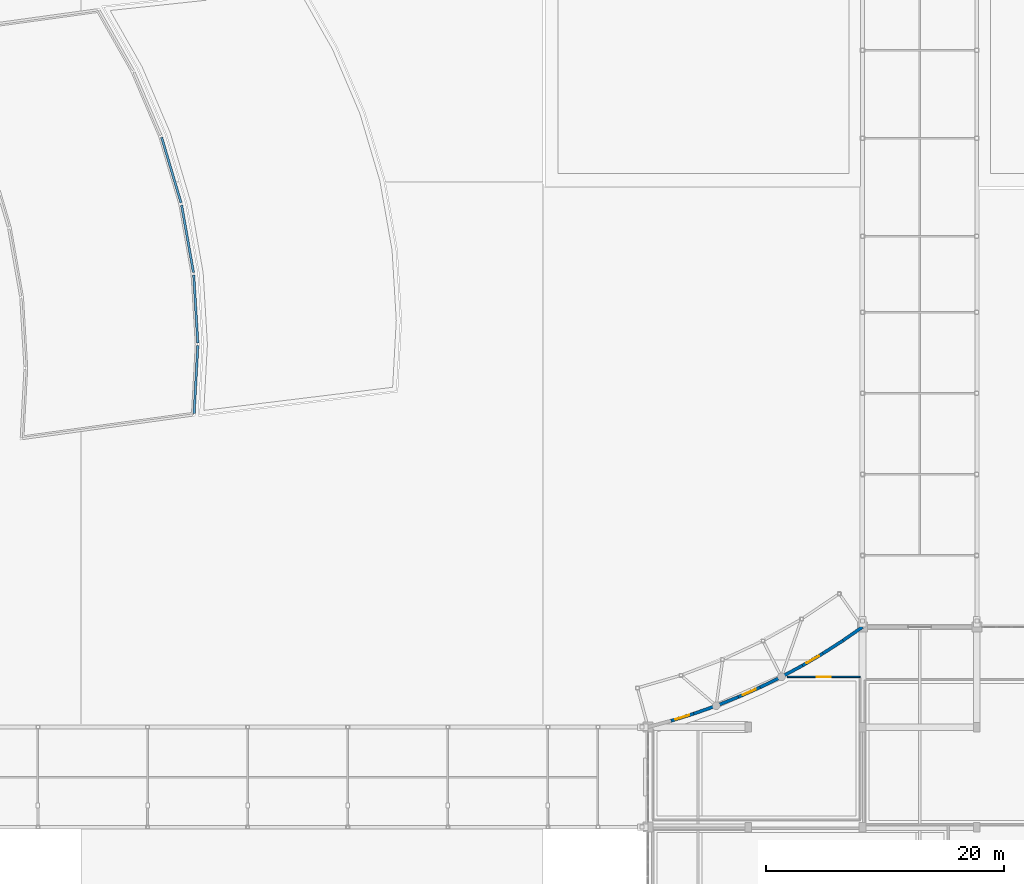
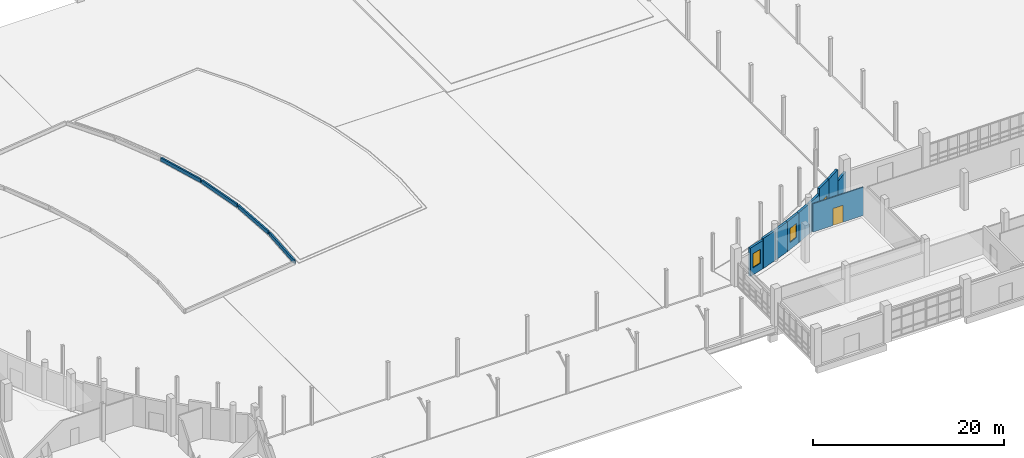
# One storey, part 64 of 97: 14 walls, 3 windows, 1 door, 4 openings.
"""IFC4 building model written with IfcOpenShell, lengths in metres."""

from ifc_helpers import new_model, si_unit, direction, frame, frame_2d, origin, place, context, subcontext, project, spatial, rectangle, extrude, material, layer, layer_set, type_object, element, fill, save


model = new_model("IFC4")

# Units and contexts
model_context = context("Model", 3, precision=1e-05, world=origin(), true_north=direction((0.0, 1.0)))
body_context = subcontext(model_context, "Body", "Model", "MODEL_VIEW")
ifc_project = project(units=[si_unit("LENGTHUNIT", "METRE"), si_unit("AREAUNIT", "SQUARE_METRE"), si_unit("VOLUMEUNIT", "CUBIC_METRE"), si_unit("PLANEANGLEUNIT", "RADIAN"), si_unit("MASSUNIT", "GRAM", prefix="KILO")], contexts=[model_context])

# Site, building, storey
site_placement = place(None, origin())
site = spatial("IfcSite", under=ifc_project, at=site_placement, CompositionType="ELEMENT")
building_placement = place(site_placement, origin())
building = spatial("IfcBuilding", under=site, at=building_placement, Name="Kisaragi Civic Commons", CompositionType="ELEMENT")
storey_placement = place(building_placement, origin())
storey = spatial("IfcBuildingStorey", under=building, at=storey_placement, Name="L00", CompositionType="ELEMENT", Elevation=0.0)

# Wall, opening, window
ifc_material_1 = material(Name="Insulated Tokoname terracotta cavity wall", Category="masonry")
ifc_layer_1 = layer(ifc_material_1, 0.26806640625, Name="Insulated Tokoname terracotta cavity wall", Category="masonry")
ifc_layer_set_1 = layer_set([ifc_layer_1], Name="Insulated Tokoname terracotta cavity wall")
wall_type_1 = type_object("IfcWallType", Name="EW-04", PredefinedType="STANDARD", material=ifc_layer_set_1)
wall_1_placement = place(storey_placement, frame((107.529296875, 17.32080078125, 0.0), z_axis=(0.0, 0.0, 1.0), x_axis=(0.954705742249, 0.297551584969, 0.0)))
wall_1 = element("IfcWall", 1, at=wall_1_placement, inside=storey, type_object=wall_type_1, Name="V3 L00 exterior terracotta wall EW-04 240", PredefinedType="STANDARD", context=body_context, shape_type="SweptSolid", body=[
    extrude(rectangle(XDim=1.998779296875, YDim=0.26806640625, at=frame_2d((0.99951171875, 0.0))), origin(), (0.0, 0.0, 1.0), 3.6201171875),
])
opening_1_placement = place(wall_1_placement, frame((0.3994140625, 0.0, 0.89990234375)))
opening_1 = element("IfcOpeningElement", 2, at=opening_1_placement, cuts=wall_1, Name="Opening W-05", PredefinedType="OPENING", context=body_context, shape_type="SweptSolid", body=[
    extrude(rectangle(XDim=1.199951171875, YDim=1.800048828125, at=frame_2d((0.60009765625, 0.89990234375))), frame((0.0, 0.14404296875, 0.0), z_axis=(0.0, -1.0, 0.0), x_axis=(1.0, 0.0, 0.0)), (0.0, 0.0, 1.0), 0.2880859375),
])
ifc_material_2 = material(Name="Thermally broken aluminium frame and low-E argon double glazing", Category="aluminium")
window_type = type_object("IfcWindowType", Name="W-05", PartitioningType="SINGLE_PANEL", PredefinedType="WINDOW", material=ifc_material_2)
window_1_placement = place(opening_1_placement, origin())
window_1 = element("IfcWindow", 3, at=window_1_placement, inside=storey, type_object=window_type, Name="V3 L00 window W-05 71", OverallHeight=1.800048828125, OverallWidth=1.199951171875, PartitioningType="SINGLE_PANEL", PredefinedType="WINDOW", context=body_context, shape_type="SweptSolid", body=[
    extrude(rectangle(XDim=1.199951171875, YDim=1.800048828125, at=frame_2d((0.60009765625, 0.89990234375))), frame((0.0, 0.030029296875, 0.0), z_axis=(0.0, -1.0, 0.0), x_axis=(1.0, 0.0, 0.0)), (0.0, 0.0, 1.0), 0.06005859375),
])
fill(opening_1, window_1)

# Walls
for number, where, z_axis, x_axis, name in (
    (4, (109.4375, 17.91552734375, 0.0), (0.0, 0.0, 1.0), (0.942579162091, 0.333982818709, 0.0), "V3 L00 exterior terracotta wall EW-04 241"),
    (5, (111.3212890625, 18.5830078125, 0.0), (0.0, 0.0, 1.0), (0.929023293301, 0.370021243315, 0.0), "V3 L00 exterior terracotta wall EW-04 242"),
):
    element("IfcWall", number, at=place(storey_placement, frame(where, z_axis=z_axis, x_axis=x_axis)), inside=storey, type_object=wall_type_1, Name=name, PredefinedType="STANDARD", context=body_context, shape_type="SweptSolid", body=[
        extrude(rectangle(XDim=1.99853515625, YDim=0.26806640625, at=frame_2d((0.999267578125, 0.0))), origin(), (0.0, 0.0, 1.0), 3.820068359375),
    ])

# Wall, opening, window
wall_2_placement = place(storey_placement, frame((113.177978515625, 19.322509765625, 0.0), z_axis=(0.0, 0.0, 1.0), x_axis=(0.914163846606, 0.405344867438, 0.0)))
wall_2 = element("IfcWall", 6, at=wall_2_placement, inside=storey, type_object=wall_type_1, Name="V3 L00 exterior terracotta wall EW-04 243", PredefinedType="STANDARD", context=body_context, shape_type="SweptSolid", body=[
    extrude(rectangle(XDim=1.99853515625, YDim=0.26806640625, at=frame_2d((0.999267578125, 0.0))), origin(), (0.0, 0.0, 1.0), 3.820068359375),
])
opening_2_placement = place(wall_2_placement, frame((0.399169921875, 0.0, 0.89990234375)))
opening_2 = element("IfcOpeningElement", 7, at=opening_2_placement, cuts=wall_2, Name="Opening W-05", PredefinedType="OPENING", context=body_context, shape_type="SweptSolid", body=[
    extrude(rectangle(XDim=1.199951171875, YDim=1.800048828125, at=frame_2d((0.60009765625, 0.89990234375))), frame((0.0, 0.14404296875, 0.0), z_axis=(0.0, -1.0, 0.0), x_axis=(1.0, 0.0, 0.0)), (0.0, 0.0, 1.0), 0.2880859375),
])
window_2_placement = place(opening_2_placement, origin())
window_2 = element("IfcWindow", 8, at=window_2_placement, inside=storey, type_object=window_type, Name="V3 L00 window W-05 72", OverallHeight=1.800048828125, OverallWidth=1.199951171875, PartitioningType="SINGLE_PANEL", PredefinedType="WINDOW", context=body_context, shape_type="SweptSolid", body=[
    extrude(rectangle(XDim=1.199951171875, YDim=1.800048828125, at=frame_2d((0.60009765625, 0.89990234375))), frame((0.0, 0.030029296875, 0.0), z_axis=(0.0, -1.0, 0.0), x_axis=(1.0, 0.0, 0.0)), (0.0, 0.0, 1.0), 0.06005859375),
])
fill(opening_2, window_2)

# Walls
for number, where, z_axis, x_axis, name in (
    (9, (115.0048828125, 20.132568359375, 0.0), (0.0, 0.0, 1.0), (0.897917882526, 0.440163010985, 0.0), "V3 L00 exterior terracotta wall EW-04 244"),
    (10, (116.79931640625, 21.01220703125, 0.0), (0.0, 0.0, 1.0), (0.880274898385, 0.474464016837, 0.0), "V3 L00 exterior terracotta wall EW-04 245"),
):
    element("IfcWall", number, at=place(storey_placement, frame(where, z_axis=z_axis, x_axis=x_axis)), inside=storey, type_object=wall_type_1, Name=name, PredefinedType="STANDARD", context=body_context, shape_type="SweptSolid", body=[
        extrude(rectangle(XDim=1.99853515625, YDim=0.26806640625, at=frame_2d((0.999267578125, 0.0))), origin(), (0.0, 0.0, 1.0), 3.820068359375),
    ])

# Wall, opening, window
wall_3_placement = place(storey_placement, frame((118.55859375, 21.96044921875, 0.0), z_axis=(0.0, 0.0, 1.0), x_axis=(0.861434431029, 0.507868802977, 0.0)))
wall_3 = element("IfcWall", 11, at=wall_3_placement, inside=storey, type_object=wall_type_1, Name="V3 L00 exterior terracotta wall EW-04 246", PredefinedType="STANDARD", context=body_context, shape_type="SweptSolid", body=[
    extrude(rectangle(XDim=1.998291015625, YDim=0.26806640625, at=frame_2d((0.9990234375, 0.0))), origin(), (0.0, 0.0, 1.0), 4.52001953125),
])
opening_3_placement = place(wall_3_placement, frame((0.399169921875, 0.0, 0.89990234375)))
opening_3 = element("IfcOpeningElement", 12, at=opening_3_placement, cuts=wall_3, Name="Opening W-05", PredefinedType="OPENING", context=body_context, shape_type="SweptSolid", body=[
    extrude(rectangle(XDim=1.199951171875, YDim=1.800048828125, at=frame_2d((0.60009765625, 0.89990234375))), frame((0.0, 0.14404296875, 0.0), z_axis=(0.0, -1.0, 0.0), x_axis=(1.0, 0.0, 0.0)), (0.0, 0.0, 1.0), 0.2880859375),
])
window_3_placement = place(opening_3_placement, origin())
window_3 = element("IfcWindow", 13, at=window_3_placement, inside=storey, type_object=window_type, Name="V3 L00 window W-05 73", OverallHeight=1.800048828125, OverallWidth=1.199951171875, PartitioningType="SINGLE_PANEL", PredefinedType="WINDOW", context=body_context, shape_type="SweptSolid", body=[
    extrude(rectangle(XDim=1.199951171875, YDim=1.800048828125, at=frame_2d((0.60009765625, 0.89990234375))), frame((0.0, 0.030029296875, 0.0), z_axis=(0.0, -1.0, 0.0), x_axis=(1.0, 0.0, 0.0)), (0.0, 0.0, 1.0), 0.06005859375),
])
fill(opening_3, window_3)

# Walls
wall_4_placement = place(storey_placement, frame((120.280029296875, 22.975341796875, 0.0), z_axis=(0.0, 0.0, 1.0), x_axis=(0.841253874488, 0.540640285826, 0.0)))
element("IfcWall", 14, at=wall_4_placement, inside=storey, type_object=wall_type_1, Name="V3 L00 exterior terracotta wall EW-04 247", PredefinedType="STANDARD", context=body_context, shape_type="SweptSolid", body=[
    extrude(rectangle(XDim=1.998779296875, YDim=0.26806640625, at=frame_2d((0.99951171875, 0.0))), origin(), (0.0, 0.0, 1.0), 4.52001953125),
])
wall_5_placement = place(storey_placement, frame((121.96142578125, 24.055908203125, 0.0), z_axis=(0.0, 0.0, 1.0), x_axis=(0.819942937555, 0.572445263019, 0.0)))
element("IfcWall", 15, at=wall_5_placement, inside=storey, type_object=wall_type_1, Name="V3 L00 exterior terracotta wall EW-04 248", PredefinedType="STANDARD", context=body_context, shape_type="SweptSolid", body=[
    extrude(rectangle(XDim=1.99853515625, YDim=0.26806640625, at=frame_2d((0.999267578125, 0.0))), origin(), (0.0, 0.0, 1.0), 2.97998046875),
])

# Wall, opening, door
ifc_material_3 = material(Name="Acoustic gypsum board on light-gauge steel studs", Category="steel")
ifc_layer_2 = layer(ifc_material_3, 0.1279296875, Name="Acoustic gypsum board on light-gauge steel studs", Category="steel")
ifc_layer_set_2 = layer_set([ifc_layer_2], Name="Acoustic gypsum board on light-gauge steel studs")
wall_type_2 = type_object("IfcWallType", Name="IW-09", PredefinedType="STANDARD", material=ifc_layer_set_2)
wall_6_placement = place(storey_placement, frame((117.287353515625, 21.0, 0.0), z_axis=(0.0, 0.0, 1.0), x_axis=(1.0, 0.0, 0.0)))
wall_6 = element("IfcWall", 16, at=wall_6_placement, inside=storey, type_object=wall_type_2, Name="L00 D0-12 partition IW-09 60", PredefinedType="STANDARD", context=body_context, shape_type="SweptSolid", body=[
    extrude(rectangle(XDim=6.107666015625, YDim=0.1279296875, at=frame_2d((3.0537109375, 0.0))), origin(), (0.0, 0.0, 1.0), 3.6201171875),
])
opening_4_placement = place(wall_6_placement, frame((2.453857421875, 0.0, 0.0)))
opening_4 = element("IfcOpeningElement", 17, at=opening_4_placement, cuts=wall_6, Name="Opening ID-10", PredefinedType="OPENING", context=body_context, shape_type="SweptSolid", body=[
    extrude(rectangle(XDim=1.199951171875, YDim=2.179931640625, at=frame_2d((0.60009765625, 1.08984375))), frame((0.0, 0.073974609375, 0.0), z_axis=(0.0, -1.0, 0.0), x_axis=(1.0, 0.0, 0.0)), (0.0, 0.0, 1.0), 0.14794921875),
])
ifc_material_4 = material(Name="Solid-core Japanese ash acoustic flush timber leaf in steel frame", Category="steel")
door_type = type_object("IfcDoorType", Name="ID-10", OperationType="NOTDEFINED", PredefinedType="DOOR", material=ifc_material_4)
door_placement = place(opening_4_placement, origin())
door = element("IfcDoor", 18, at=door_placement, inside=storey, type_object=door_type, Name="Garden Tea Room door ID-10", OperationType="SINGLE_SWING_LEFT", OverallHeight=2.179931640625, OverallWidth=1.199951171875, PredefinedType="DOOR", context=body_context, shape_type="SweptSolid", body=[
    extrude(rectangle(XDim=1.199951171875, YDim=2.179931640625, at=frame_2d((0.60009765625, 1.08984375))), frame((0.0, 0.02490234375, 0.0), z_axis=(0.0, -1.0, 0.0), x_axis=(1.0, 0.0, 0.0)), (0.0, 0.0, 1.0), 0.050048828125),
])
fill(opening_4, door)

# Walls
ifc_material_5 = material(Name="Extruded Tokoname terracotta stone coping", Category="masonry")
ifc_layer_3 = layer(ifc_material_5, 0.18994140625, Name="Extruded Tokoname terracotta stone coping", Category="masonry")
ifc_layer_set_3 = layer_set([ifc_layer_3], Name="Extruded Tokoname terracotta stone coping")
wall_type_3 = type_object("IfcWallType", Name="PW-02", PredefinedType="PARAPET", material=ifc_layer_set_3)
for number, where, z_axis, x_axis, name in (
    (19, (64.7822265625, 66.284912109375, 0.0), (0.0, 0.0, 1.0), (0.284178213365, -0.958771475926, 0.0), "Civic reflecting pool terracotta coping curb 4"),
    (20, (66.45751953125, 60.59326171875, 0.0), (0.0, 0.0, 1.0), (0.173134292661, -0.984898226572, 0.0), "Civic reflecting pool terracotta coping curb 5"),
    (21, (67.473388671875, 54.748046875, 0.0), (0.0, 0.0, 1.0), (0.059782827104, -0.99821140726, 0.0), "Civic reflecting pool terracotta coping curb 6"),
    (22, (67.81689453125, 48.824951171875, 0.0), (0.0, 0.0, 1.0), (-0.054333269316, -0.998522856947, 0.0), "Civic reflecting pool terracotta coping curb 7"),
):
    element("IfcWall", number, at=place(storey_placement, frame(where, z_axis=z_axis, x_axis=x_axis)), inside=storey, type_object=wall_type_3, Name=name, PredefinedType="PARAPET", context=body_context, shape_type="SweptSolid", body=[
        extrude(rectangle(XDim=5.733642578125, YDim=0.18994140625, at=frame_2d((2.86669921875, 0.0))), origin(), (0.0, 0.0, 1.0), 0.449951171875),
    ])

save(model, "model.ifc")
